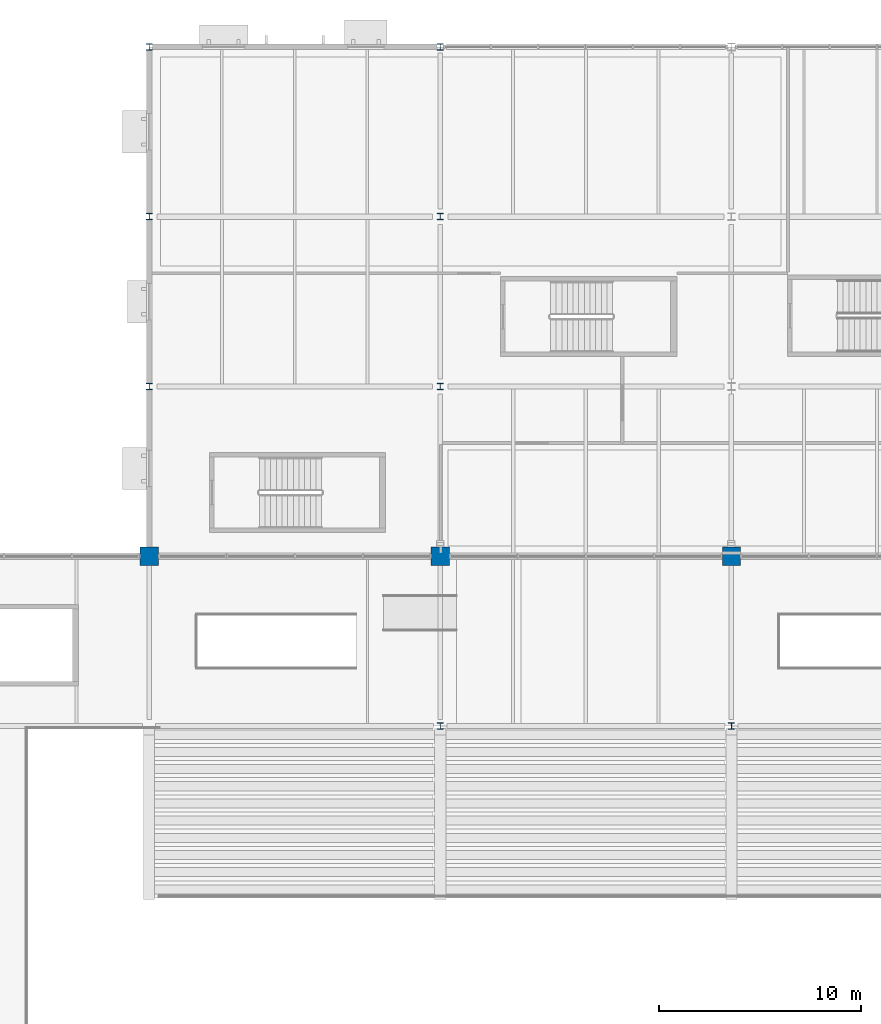
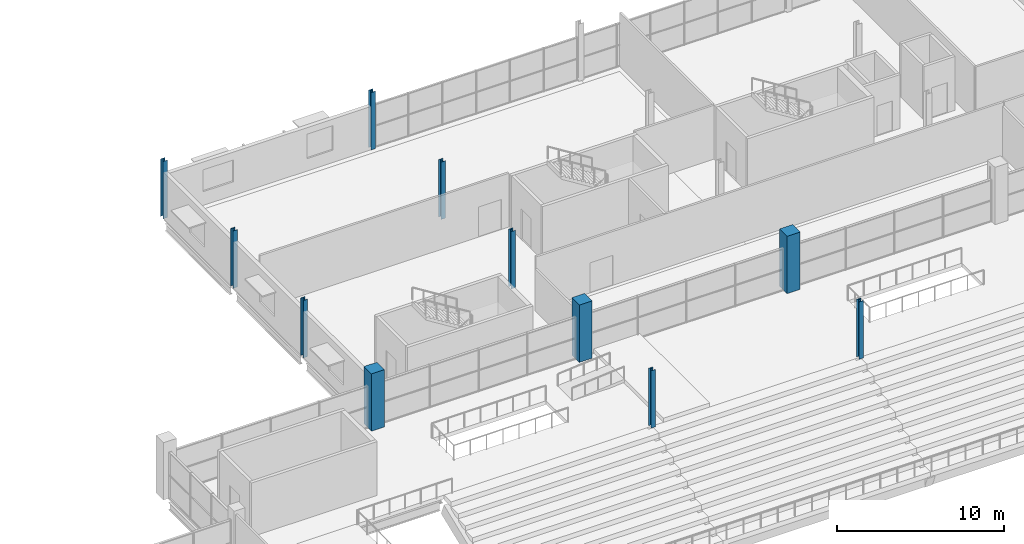
# One storey, part 7 of 161: 11 columns.
"""IFC4 building model written with IfcOpenShell, lengths in metres."""

from ifc_helpers import new_model, si_unit, direction, frame, origin, origin_2d, place, context, subcontext, project, spatial, rectangle, i_section, extrude, material, material_profile, profile_set, type_object, element, save


model = new_model("IFC4")

# Units and contexts
model_context = context("Model", 3, precision=1e-05, world=origin(), true_north=direction((0.0, 1.0)))
body_context = subcontext(model_context, "Body", "Model", "MODEL_VIEW")
ifc_project = project(units=[si_unit("LENGTHUNIT", "METRE"), si_unit("AREAUNIT", "SQUARE_METRE"), si_unit("VOLUMEUNIT", "CUBIC_METRE"), si_unit("PLANEANGLEUNIT", "RADIAN"), si_unit("MASSUNIT", "GRAM", prefix="KILO"), si_unit("THERMODYNAMICTEMPERATUREUNIT", "KELVIN")], contexts=[model_context])

# Site, building, storey
site_placement = place(None, origin())
site = spatial("IfcSite", under=ifc_project, at=site_placement, CompositionType="ELEMENT")
building_placement = place(site_placement, origin())
building = spatial("IfcBuilding", under=site, at=building_placement, Name="Nduvali Passage Aquatics Centre", CompositionType="ELEMENT")
storey_placement = place(building_placement, frame((0.0, 0.0, 4.800048828125)))
storey = spatial("IfcBuildingStorey", under=building, at=storey_placement, Name="L01", CompositionType="ELEMENT", Elevation=4.800048828125)

# Columns
ifc_material_1 = material(Name="Concrete C40/50", Category="concrete")
ifc_material_profile_1 = material_profile(ifc_material_1, rectangle(XDim=0.89990234375, YDim=0.89990234375, at=origin_2d()), Name="RC 900x900")
ifc_profile_set_1 = profile_set([ifc_material_profile_1], Name="Concrete C40/50")
column_type_1 = type_object("IfcColumnType", Name="STR-COL-RC900-EXT", PredefinedType="COLUMN", material=ifc_profile_set_1)
for number, where, z_axis, x_axis, name in (
    (1, (39.60009765625, 92.39990234375, 0.0), (0.0, 0.0, 1.0), (1.0, 0.0, 0.0), "L01 Column C1E (39.6, 92.4)"),
    (2, (54.0, 92.39990234375, 0.0), (0.0, 0.0, 1.0), (1.0, 0.0, 0.0), "L01 Column C1E (54.0, 92.4)"),
    (3, (68.39990234375, 92.39990234375, 0.0), (0.0, 0.0, 1.0), (1.0, 0.0, 0.0), "L01 Column C1E (68.4, 92.4)"),
):
    element("IfcColumn", number, at=place(storey_placement, frame(where, z_axis=z_axis, x_axis=x_axis)), inside=storey, type_object=column_type_1, Name=name, PredefinedType="COLUMN", context=body_context, shape_type="SweptSolid", body=[
        extrude(rectangle(XDim=0.89990234375, YDim=0.89990234375, at=origin_2d()), origin(), (0.0, 0.0, 1.0), 4.199951171875),
    ])
ifc_material_2 = material(Name="Steel S355", Category="steel")
ifc_material_profile_2 = material_profile(ifc_material_2, i_section(OverallWidth=0.30908203125, OverallDepth=0.320556640625, WebThickness=0.013916015625, FlangeThickness=0.021728515625, FilletRadius=0.01513671875, at=origin_2d()), Name="UKC 305x305x137")
ifc_profile_set_2 = profile_set([ifc_material_profile_2], Name="Steel S355")
column_type_2 = type_object("IfcColumnType", Name="STR-COL-UKC305", PredefinedType="COLUMN", material=ifc_profile_set_2)
for number, where, z_axis, x_axis, name in (
    (4, (54.0, 84.0, 0.0), (0.0, 0.0, 1.0), (1.0, 0.0, 0.0), "L01 Column C6 (54.0, 84.0)"),
    (5, (54.0, 100.800048828125, 0.0), (0.0, 0.0, 1.0), (1.0, 0.0, 0.0), "L01 Column C6 (54.0, 100.8)"),
    (6, (54.0, 109.199951171875, 0.0), (0.0, 0.0, 1.0), (1.0, 0.0, 0.0), "L01 Column C6 (54.0, 109.2)"),
    (7, (68.39990234375, 84.0, 0.0), (0.0, 0.0, 1.0), (1.0, 0.0, 0.0), "L01 Column C6 (68.4, 84.0)"),
):
    element("IfcColumn", number, at=place(storey_placement, frame(where, z_axis=z_axis, x_axis=x_axis)), inside=storey, type_object=column_type_2, Name=name, PredefinedType="COLUMN", context=body_context, shape_type="SweptSolid", body=[
        extrude(i_section(OverallWidth=0.30908203125, OverallDepth=0.320556640625, WebThickness=0.013916015625, FlangeThickness=0.021728515625, FilletRadius=0.01513671875, at=origin_2d()), origin(), (0.0, 0.0, 1.0), 4.199951171875),
    ])
ifc_material_profile_3 = material_profile(ifc_material_2, i_section(OverallWidth=0.30908203125, OverallDepth=0.320556640625, WebThickness=0.013916015625, FlangeThickness=0.021728515625, FilletRadius=0.01513671875, at=origin_2d()), Name="UKC 305x305x137")
ifc_profile_set_3 = profile_set([ifc_material_profile_3], Name="Steel S355")
column_type_3 = type_object("IfcColumnType", Name="STR-COL-UKC305-EXT", PredefinedType="COLUMN", material=ifc_profile_set_3)
for number, where, z_axis, x_axis, name in (
    (8, (39.60009765625, 100.800048828125, 0.0), (0.0, 0.0, 1.0), (1.0, 0.0, 0.0), "L01 Column C6E (39.6, 100.8)"),
    (9, (39.60009765625, 109.199951171875, 0.0), (0.0, 0.0, 1.0), (1.0, 0.0, 0.0), "L01 Column C6E (39.6, 109.2)"),
    (10, (39.60009765625, 117.60009765625, 0.0), (0.0, 0.0, 1.0), (1.0, 0.0, 0.0), "L01 Column C6E (39.6, 117.6)"),
    (11, (54.0, 117.60009765625, 0.0), (0.0, 0.0, 1.0), (1.0, 0.0, 0.0), "L01 Column C6E (54.0, 117.6)"),
):
    element("IfcColumn", number, at=place(storey_placement, frame(where, z_axis=z_axis, x_axis=x_axis)), inside=storey, type_object=column_type_3, Name=name, PredefinedType="COLUMN", context=body_context, shape_type="SweptSolid", body=[
        extrude(i_section(OverallWidth=0.30908203125, OverallDepth=0.320556640625, WebThickness=0.013916015625, FlangeThickness=0.021728515625, FilletRadius=0.01513671875, at=origin_2d()), origin(), (0.0, 0.0, 1.0), 4.199951171875),
    ])

save(model, "model.ifc")
